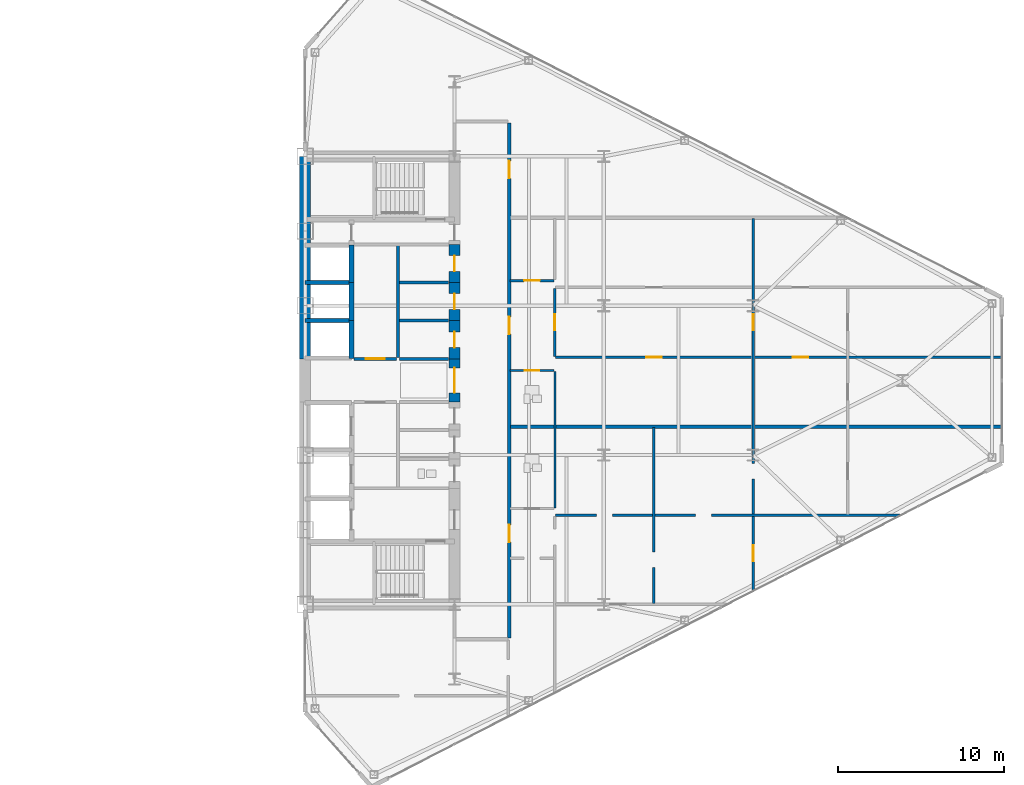
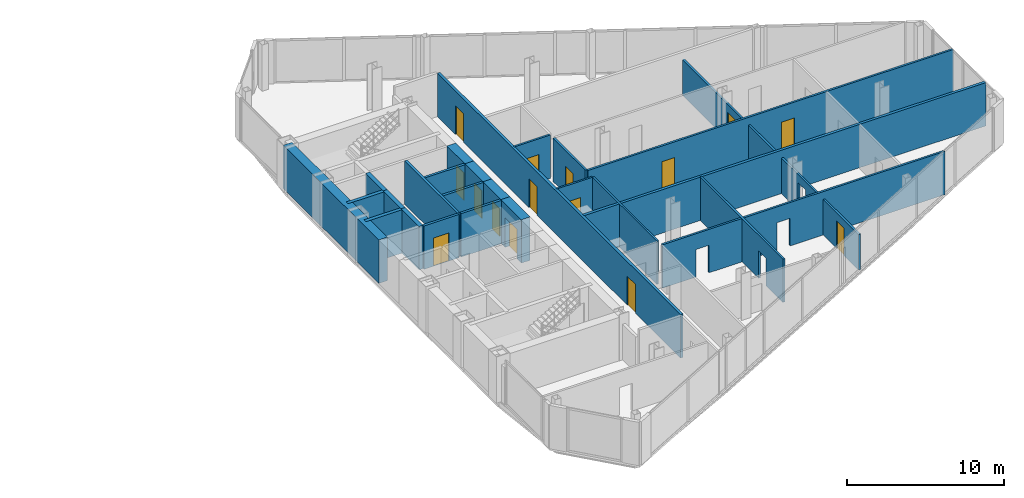
# One storey, part 20 of 24: 25 walls, 15 doors, 19 openings.
"""IFC4 building model written with IfcOpenShell, lengths in metres."""

from ifc_helpers import new_model, si_unit, direction, frame, frame_2d, origin, place, context, subcontext, project, spatial, rectangle, extrude, source, transform, mapped, material, layer, layer_set, type_object, type_shapes, element, fill, save


model = new_model("IFC4")

# Units and contexts
model_context = context("Model", 3, precision=1e-05, world=origin(), true_north=direction((0.0, 1.0)))
body_context = subcontext(model_context, "Body", "Model", "MODEL_VIEW")
ifc_project = project(units=[si_unit("LENGTHUNIT", "METRE"), si_unit("AREAUNIT", "SQUARE_METRE"), si_unit("VOLUMEUNIT", "CUBIC_METRE"), si_unit("PLANEANGLEUNIT", "RADIAN"), si_unit("MASSUNIT", "GRAM", prefix="KILO")], contexts=[model_context])

# Site, building, storey
site_placement = place(None, origin())
site = spatial("IfcSite", under=ifc_project, at=site_placement, CompositionType="ELEMENT")
building_placement = place(site_placement, origin())
building = spatial("IfcBuilding", under=site, at=building_placement, Name="Seokmaru Belvedere", CompositionType="ELEMENT")
storey_placement = place(building_placement, frame((0.0, 0.0, 124.800048828125)))
storey = spatial("IfcBuildingStorey", under=building, at=storey_placement, Name="L33", CompositionType="ELEMENT", Elevation=124.800048828125)

# Wall, openings
ifc_material_1 = material(Name="Fire-Rated Gypsum Shaftwall")
ifc_layer_1 = layer(ifc_material_1, 0.14990234375)
ifc_layer_set_1 = layer_set([ifc_layer_1], Name="Fire-Rated Gypsum Shaftwall")
wall_type_1 = type_object("IfcWallType", Name="Apartment Fire-Acoustic Room Partition 150", PredefinedType="PARTITIONING", material=ifc_layer_set_1)
wall_1_placement = place(storey_placement, frame((42.60009765625, -8.139892578125, 0.0), z_axis=(0.0, 0.0, 1.0), x_axis=(1.0, 0.0, 0.0)))
wall_1 = element("IfcWall", 1, at=wall_1_placement, inside=storey, type_object=wall_type_1, Name="L33 Interior Partition 007", PredefinedType="PARTITIONING", context=body_context, shape_type="SweptSolid", body=[
    extrude(rectangle(XDim=20.809814453125, YDim=0.14990234375, at=frame_2d((10.40478515625, 0.0))), origin(), (0.0, 0.0, 1.0), 3.3798828125),
])
opening_1_placement = place(wall_1_placement, frame((2.46240234375, 0.0, 0.0)))
element("IfcOpeningElement", 2, at=opening_1_placement, cuts=wall_1, Name="L33 Cased Opening 035", PredefinedType="OPENING", context=body_context, shape_type="SweptSolid", body=[
    extrude(rectangle(XDim=0.949951171875, YDim=2.14990234375, at=frame_2d((0.47509765625, 1.074951171875))), frame((0.0, 0.0849609375, 0.0), z_axis=(0.0, -1.0, 0.0), x_axis=(1.0, 0.0, 0.0)), (0.0, 0.0, 1.0), 0.169921875),
])
opening_2_placement = place(wall_1_placement, frame((8.4375, 0.0, 0.0)))
element("IfcOpeningElement", 3, at=opening_2_placement, cuts=wall_1, Name="L33 Cased Opening 037", PredefinedType="OPENING", context=body_context, shape_type="SweptSolid", body=[
    extrude(rectangle(XDim=0.949951171875, YDim=2.14990234375, at=frame_2d((0.47509765625, 1.074951171875))), frame((0.0, 0.0849609375, 0.0), z_axis=(0.0, -1.0, 0.0), x_axis=(1.0, 0.0, 0.0)), (0.0, 0.0, 1.0), 0.169921875),
])

# Wall, openings, doors
wall_2_placement = place(storey_placement, frame((42.60009765625, 1.39990234375, 0.0), z_axis=(0.0, 0.0, 1.0), x_axis=(1.0, 0.0, 0.0)))
wall_2 = element("IfcWall", 4, at=wall_2_placement, inside=storey, type_object=wall_type_1, Name="L33 Interior Partition 015", PredefinedType="PARTITIONING", context=body_context, shape_type="SweptSolid", body=[
    extrude(rectangle(XDim=26.934814453125, YDim=0.14990234375, at=frame_2d((13.46728515625, 0.0))), origin(), (0.0, 0.0, 1.0), 3.3798828125),
])
opening_3_placement = place(wall_2_placement, frame((5.449951171875, 0.0, 0.0)))
opening_3 = element("IfcOpeningElement", 5, at=opening_3_placement, cuts=wall_2, Name="Opening D05", PredefinedType="OPENING", context=body_context, shape_type="SweptSolid", body=[
    extrude(rectangle(XDim=0.949951171875, YDim=2.14990234375, at=frame_2d((0.47509765625, 1.074951171875))), frame((0.0, 0.0849609375, 0.0), z_axis=(0.0, -1.0, 0.0), x_axis=(1.0, 0.0, 0.0)), (0.0, 0.0, 1.0), 0.169921875),
])
opening_4_placement = place(wall_2_placement, frame((14.27490234375, 0.0, 0.0)))
opening_4 = element("IfcOpeningElement", 6, at=opening_4_placement, cuts=wall_2, Name="Opening D05", PredefinedType="OPENING", context=body_context, shape_type="SweptSolid", body=[
    extrude(rectangle(XDim=0.949951171875, YDim=2.14990234375, at=frame_2d((0.47509765625, 1.074951171875))), frame((0.0, 0.0849609375, 0.0), z_axis=(0.0, -1.0, 0.0), x_axis=(1.0, 0.0, 0.0)), (0.0, 0.0, 1.0), 0.169921875),
])
ifc_material_2 = material(Name="Engineered White Oak Timber", Category="wood")
door_type_1 = type_object("IfcDoorType", Name="Apartment Interior Fire-Rated Oak Door 950x2150", OperationType="NOTDEFINED", PredefinedType="DOOR", material=ifc_material_2)
shared_shape_1 = source(origin(), body_context, "Body", "SweptSolid", [
    extrude(rectangle(XDim=0.949951171875, YDim=2.14990234375, at=frame_2d((0.47509765625, 1.074951171875))), frame((0.0, 0.02490234375, 0.0), z_axis=(0.0, -1.0, 0.0), x_axis=(1.0, 0.0, 0.0)), (0.0, 0.0, 1.0), 0.050048828125),
])
type_shapes(door_type_1, [shared_shape_1])
door_1_placement = place(opening_3_placement, origin())
door_1 = element("IfcDoor", 7, at=door_1_placement, inside=storey, type_object=door_type_1, Name="L33 Interior Door 047", OperationType="SINGLE_SWING_RIGHT", OverallHeight=2.14990234375, OverallWidth=0.949951171875, PredefinedType="DOOR", context=body_context, shape_type="MappedRepresentation", body=[
    mapped(shared_shape_1, transform((0.0, 0.0, 0.0), scale=1.0)),
])
fill(opening_3, door_1)
door_2_placement = place(opening_4_placement, origin())
door_2 = element("IfcDoor", 8, at=door_2_placement, inside=storey, type_object=door_type_1, Name="L33 Interior Door 049", OperationType="SINGLE_SWING_RIGHT", OverallHeight=2.14990234375, OverallWidth=0.949951171875, PredefinedType="DOOR", context=body_context, shape_type="MappedRepresentation", body=[
    mapped(shared_shape_1, transform((0.0, 0.0, 0.0), scale=1.0)),
])
fill(opening_4, door_2)

# Wall, opening, door
wall_3_placement = place(storey_placement, frame((39.85009765625, 6.02001953125, 0.0), z_axis=(0.0, 0.0, 1.0), x_axis=(1.0, 0.0, 0.0)))
wall_3 = element("IfcWall", 9, at=wall_3_placement, inside=storey, type_object=wall_type_1, Name="L33 Interior Partition 018", PredefinedType="PARTITIONING", context=body_context, shape_type="SweptSolid", body=[
    extrude(rectangle(XDim=2.64990234375, YDim=0.14990234375, at=frame_2d((1.324951171875, 0.0))), origin(), (0.0, 0.0, 1.0), 3.3798828125),
])
opening_5_placement = place(wall_3_placement, frame((0.85009765625, 0.0, 0.0)))
opening_5 = element("IfcOpeningElement", 10, at=opening_5_placement, cuts=wall_3, Name="Opening D05", PredefinedType="OPENING", context=body_context, shape_type="SweptSolid", body=[
    extrude(rectangle(XDim=0.949951171875, YDim=2.14990234375, at=frame_2d((0.47509765625, 1.074951171875))), frame((0.0, 0.0849609375, 0.0), z_axis=(0.0, -1.0, 0.0), x_axis=(1.0, 0.0, 0.0)), (0.0, 0.0, 1.0), 0.169921875),
])
door_3_placement = place(opening_5_placement, origin())
door_3 = element("IfcDoor", 11, at=door_3_placement, inside=storey, type_object=door_type_1, Name="L33 Interior Door 044", OperationType="SINGLE_SWING_RIGHT", OverallHeight=2.14990234375, OverallWidth=0.949951171875, PredefinedType="DOOR", context=body_context, shape_type="MappedRepresentation", body=[
    mapped(shared_shape_1, transform((0.0, 0.0, 0.0), scale=1.0)),
])
fill(opening_5, door_3)

wall_4_placement = place(storey_placement, frame((42.550048828125, 1.449951171875, 0.0), z_axis=(0.0, 0.0, 1.0), x_axis=(0.0, 1.0, 0.0)))
wall_4 = element("IfcWall", 12, at=wall_4_placement, inside=storey, type_object=wall_type_1, Name="L33 Interior Partition 043", PredefinedType="PARTITIONING", context=body_context, shape_type="SweptSolid", body=[
    extrude(rectangle(XDim=4.10009765625, YDim=0.14990234375, at=frame_2d((2.050048828125, 0.0))), origin(), (0.0, 0.0, 1.0), 3.3798828125),
])
opening_6_placement = place(wall_4_placement, frame((1.574951171875, 0.0, 0.0)))
opening_6 = element("IfcOpeningElement", 13, at=opening_6_placement, cuts=wall_4, Name="Opening D05", PredefinedType="OPENING", context=body_context, shape_type="SweptSolid", body=[
    extrude(rectangle(XDim=0.949951171875, YDim=2.14990234375, at=frame_2d((0.47509765625, 1.074951171875))), frame((0.0, 0.0849609375, 0.0), z_axis=(0.0, -1.0, 0.0), x_axis=(1.0, 0.0, 0.0)), (0.0, 0.0, 1.0), 0.169921875),
])
door_4_placement = place(opening_6_placement, origin())
door_4 = element("IfcDoor", 14, at=door_4_placement, inside=storey, type_object=door_type_1, Name="L33 Interior Door 045", OperationType="SINGLE_SWING_LEFT", OverallHeight=2.14990234375, OverallWidth=0.949951171875, PredefinedType="DOOR", context=body_context, shape_type="MappedRepresentation", body=[
    mapped(shared_shape_1, transform((0.0, 0.0, 0.0), scale=1.0)),
])
fill(opening_6, door_4)

# Wall, opening
wall_5_placement = place(storey_placement, frame((48.52001953125, -13.43603515625, 0.0), z_axis=(0.0, 0.0, 1.0), x_axis=(0.0, 1.0, 0.0)))
wall_5 = element("IfcWall", 15, at=wall_5_placement, inside=storey, type_object=wall_type_1, Name="L33 Interior Partition 045", PredefinedType="PARTITIONING", context=body_context, shape_type="SweptSolid", body=[
    extrude(rectangle(XDim=10.5859375, YDim=0.14990234375, at=frame_2d((5.29296875, 0.0))), origin(), (0.0, 0.0, 1.0), 3.3798828125),
])
opening_7_placement = place(wall_5_placement, frame((2.146240234375, 0.0, 0.0)))
element("IfcOpeningElement", 16, at=opening_7_placement, cuts=wall_5, Name="L33 Cased Opening 034", PredefinedType="OPENING", context=body_context, shape_type="SweptSolid", body=[
    extrude(rectangle(XDim=0.949951171875, YDim=2.14990234375, at=frame_2d((0.47509765625, 1.074951171875))), frame((0.0, 0.0849609375, 0.0), z_axis=(0.0, -1.0, 0.0), x_axis=(1.0, 0.0, 0.0)), (0.0, 0.0, 1.0), 0.169921875),
])

# Wall, openings, doors
wall_6_placement = place(storey_placement, frame((54.5, -12.73193359375, 0.0), z_axis=(0.0, 0.0, 1.0), x_axis=(0.0, 1.0, 0.0)))
wall_6 = element("IfcWall", 17, at=wall_6_placement, inside=storey, type_object=wall_type_1, Name="L33 Interior Partition 046", PredefinedType="PARTITIONING", context=body_context, shape_type="SweptSolid", body=[
    extrude(rectangle(XDim=22.48193359375, YDim=0.14990234375, at=frame_2d((11.240966796875, 0.0))), origin(), (0.0, 0.0, 1.0), 2.780029296875),
])
opening_8_placement = place(wall_6_placement, frame((1.836669921875, 0.0, 0.0)))
opening_8 = element("IfcOpeningElement", 18, at=opening_8_placement, cuts=wall_6, Name="Opening D05", PredefinedType="OPENING", context=body_context, shape_type="SweptSolid", body=[
    extrude(rectangle(XDim=0.949951171875, YDim=2.14990234375, at=frame_2d((0.47509765625, 1.074951171875))), frame((0.0, 0.0849609375, 0.0), z_axis=(0.0, -1.0, 0.0), x_axis=(1.0, 0.0, 0.0)), (0.0, 0.0, 1.0), 0.169921875),
])
opening_9_placement = place(wall_6_placement, frame((6.785400390625, 0.0, 0.0)))
element("IfcOpeningElement", 19, at=opening_9_placement, cuts=wall_6, Name="L33 Cased Opening 038", PredefinedType="OPENING", context=body_context, shape_type="SweptSolid", body=[
    extrude(rectangle(XDim=0.949951171875, YDim=2.14990234375, at=frame_2d((0.47509765625, 1.074951171875))), frame((0.0, 0.0849609375, 0.0), z_axis=(0.0, -1.0, 0.0), x_axis=(1.0, 0.0, 0.0)), (0.0, 0.0, 1.0), 0.169921875),
])
opening_10_placement = place(wall_6_placement, frame((15.757080078125, 0.0, 0.0)))
opening_10 = element("IfcOpeningElement", 20, at=opening_10_placement, cuts=wall_6, Name="Opening D05", PredefinedType="OPENING", context=body_context, shape_type="SweptSolid", body=[
    extrude(rectangle(XDim=0.949951171875, YDim=2.14990234375, at=frame_2d((0.47509765625, 1.074951171875))), frame((0.0, 0.0849609375, 0.0), z_axis=(0.0, -1.0, 0.0), x_axis=(1.0, 0.0, 0.0)), (0.0, 0.0, 1.0), 0.169921875),
])
door_5_placement = place(opening_8_placement, origin())
door_5 = element("IfcDoor", 21, at=door_5_placement, inside=storey, type_object=door_type_1, Name="L33 Interior Door 036", OperationType="SINGLE_SWING_RIGHT", OverallHeight=2.14990234375, OverallWidth=0.949951171875, PredefinedType="DOOR", context=body_context, shape_type="MappedRepresentation", body=[
    mapped(shared_shape_1, transform((0.0, 0.0, 0.0), scale=1.0)),
])
fill(opening_8, door_5)
door_6_placement = place(opening_10_placement, origin())
door_6 = element("IfcDoor", 22, at=door_6_placement, inside=storey, type_object=door_type_1, Name="L33 Interior Door 046", OperationType="SINGLE_SWING_RIGHT", OverallHeight=2.14990234375, OverallWidth=0.949951171875, PredefinedType="DOOR", context=body_context, shape_type="MappedRepresentation", body=[
    mapped(shared_shape_1, transform((0.0, 0.0, 0.0), scale=1.0)),
])
fill(opening_10, door_6)

# Wall
ifc_layer_2 = layer(ifc_material_1, 0.179931640625)
ifc_layer_set_2 = layer_set([ifc_layer_2], Name="Fire-Rated Gypsum Shaftwall")
wall_type_2 = type_object("IfcWallType", Name="Core Service Fire Partition 180", PredefinedType="PARTITIONING", material=ifc_layer_set_2)
wall_7_placement = place(storey_placement, frame((33.10009765625, 1.3798828125, 0.0), z_axis=(0.0, 0.0, 1.0), x_axis=(0.0, 1.0, 0.0)))
element("IfcWall", 23, at=wall_7_placement, inside=storey, type_object=wall_type_2, Name="L33 East North Core Service Back Wall", PredefinedType="PARTITIONING", context=body_context, shape_type="SweptSolid", body=[
    extrude(rectangle(XDim=6.740234375, YDim=0.179931640625, at=frame_2d((3.3701171875, 0.0))), origin(), (0.0, 0.0, 1.0), 3.3798828125),
])

# Wall, opening, door
wall_8_placement = place(storey_placement, frame((30.449951171875, 1.300048828125, 0.0), z_axis=(0.0, 0.0, 1.0), x_axis=(1.0, 0.0, 0.0)))
wall_8 = element("IfcWall", 24, at=wall_8_placement, inside=storey, type_object=wall_type_2, Name="L33 East North Lift Lobby Foyer Wall", PredefinedType="PARTITIONING", context=body_context, shape_type="SweptSolid", body=[
    extrude(rectangle(XDim=2.570068359375, YDim=0.179931640625, at=frame_2d((1.28515625, 0.0))), origin(), (0.0, 0.0, 1.0), 3.3798828125),
])
opening_11_placement = place(wall_8_placement, frame((0.7099609375, 0.0, 0.0)))
opening_11 = element("IfcOpeningElement", 25, at=opening_11_placement, cuts=wall_8, Name="Opening D02", PredefinedType="OPENING", context=body_context, shape_type="SweptSolid", body=[
    extrude(rectangle(XDim=1.14990234375, YDim=2.199951171875, at=frame_2d((0.574951171875, 1.10009765625))), frame((0.0, 0.10009765625, 0.0), z_axis=(0.0, -1.0, 0.0), x_axis=(1.0, 0.0, 0.0)), (0.0, 0.0, 1.0), 0.199951171875),
])
ifc_material_3 = material(Name="Fire-Rated Steel Leaf", Category="steel")
door_type_2 = type_object("IfcDoorType", Name="Lobby and Vestibule Fire Door 1150x2200", OperationType="NOTDEFINED", PredefinedType="DOOR", material=ifc_material_3)
shared_shape_2 = source(origin(), body_context, "Body", "SweptSolid", [
    extrude(rectangle(XDim=1.14990234375, YDim=2.199951171875, at=frame_2d((0.574951171875, 1.10009765625))), frame((0.0, 0.02490234375, 0.0), z_axis=(0.0, -1.0, 0.0), x_axis=(1.0, 0.0, 0.0)), (0.0, 0.0, 1.0), 0.050048828125),
])
type_shapes(door_type_2, [shared_shape_2])
door_7_placement = place(opening_11_placement, origin())
door_7 = element("IfcDoor", 26, at=door_7_placement, inside=storey, type_object=door_type_2, Name="L33 East North Lift Lobby Door", OperationType="SINGLE_SWING_LEFT", OverallHeight=2.199951171875, OverallWidth=1.14990234375, PredefinedType="DOOR", context=body_context, shape_type="MappedRepresentation", body=[
    mapped(shared_shape_2, transform((0.0, 0.0, 0.0), scale=1.0)),
])
fill(opening_11, door_7)

# Walls
for number, where, z_axis, x_axis, name in (
    (27, (33.199951171875, 1.300048828125, 0.0), (0.0, 0.0, 1.0), (1.0, 0.0, 0.0), "L33 East Foyer Side Wall N"),
    (28, (33.199951171875, 3.60009765625, 0.0), (0.0, 0.0, 1.0), (1.0, 0.0, 0.0), "L33 East Core Service Partition 3"),
    (29, (33.199951171875, 5.89990234375, 0.0), (0.0, 0.0, 1.0), (1.0, 0.0, 0.0), "L33 East Core Service Partition 4"),
):
    element("IfcWall", number, at=place(storey_placement, frame(where, z_axis=z_axis, x_axis=x_axis)), inside=storey, type_object=wall_type_2, Name=name, PredefinedType="PARTITIONING", context=body_context, shape_type="SweptSolid", body=[
        extrude(rectangle(XDim=2.949951171875, YDim=0.179931640625, at=frame_2d((1.47509765625, 0.0))), origin(), (0.0, 0.0, 1.0), 3.3798828125),
    ])
ifc_material_4 = material(Name="Concrete C50 (50 MPa)", Category="concrete")
ifc_layer_3 = layer(ifc_material_4, 0.25)
ifc_layer_set_3 = layer_set([ifc_layer_3], Name="Concrete C50 (50 MPa)")
wall_type_3 = type_object("IfcWallType", Name="Hoistway Transverse Concrete Divider Wall 250", PredefinedType="SHEAR", material=ifc_layer_set_3)
for number, where, z_axis, x_axis, name in (
    (30, (27.5, 3.60009765625, 0.0), (0.0, 0.0, 1.0), (1.0, 0.0, 0.0), "L33 East Hoistway Divider Core Wall 5"),
    (31, (27.5, 5.89990234375, 0.0), (0.0, 0.0, 1.0), (1.0, 0.0, 0.0), "L33 East Hoistway Divider Core Wall 6"),
):
    element("IfcWall", number, at=place(storey_placement, frame(where, z_axis=z_axis, x_axis=x_axis)), inside=storey, type_object=wall_type_3, Name=name, PredefinedType="SHEAR", context=body_context, shape_type="SweptSolid", body=[
        extrude(rectangle(XDim=2.800048828125, YDim=0.25, at=frame_2d((1.39990234375, 0.0))), origin(), (0.0, 0.0, 1.0), 3.3798828125),
    ])
ifc_layer_4 = layer(ifc_material_1, 0.199951171875)
ifc_layer_set_4 = layer_set([ifc_layer_4], Name="Fire-Rated Gypsum Shaftwall")
wall_type_4 = type_object("IfcWallType", Name="Inter-Tenancy Fire Compartment Partition 200", PredefinedType="PARTITIONING", material=ifc_layer_set_4)
wall_9_placement = place(storey_placement, frame((39.8798828125, -2.800048828125, 0.0), z_axis=(0.0, 0.0, 1.0), x_axis=(1.0, 0.0, 0.0)))
element("IfcWall", 32, at=wall_9_placement, inside=storey, type_object=wall_type_4, Name="L33 Interior Partition 011", PredefinedType="PARTITIONING", context=body_context, shape_type="SweptSolid", body=[
    extrude(rectangle(XDim=29.625, YDim=0.199951171875, at=frame_2d((14.8125, 0.0))), origin(), (0.0, 0.0, 1.0), 3.3798828125),
])

# Wall, openings, doors
wall_10_placement = place(storey_placement, frame((39.800048828125, -15.514892578125, 0.0), z_axis=(0.0, 0.0, 1.0), x_axis=(0.0, 1.0, 0.0)))
wall_10 = element("IfcWall", 33, at=wall_10_placement, inside=storey, type_object=wall_type_4, Name="L33 Interior Partition 040", PredefinedType="PARTITIONING", context=body_context, shape_type="SweptSolid", body=[
    extrude(rectangle(XDim=31.02978515625, YDim=0.199951171875, at=frame_2d((15.514892578125, 0.0))), origin(), (0.0, 0.0, 1.0), 3.3798828125),
])
opening_12_placement = place(wall_10_placement, frame((5.762451171875, 0.0, 0.0)))
opening_12 = element("IfcOpeningElement", 34, at=opening_12_placement, cuts=wall_10, Name="Opening D03", PredefinedType="OPENING", context=body_context, shape_type="SweptSolid", body=[
    extrude(rectangle(XDim=1.050048828125, YDim=2.25, at=frame_2d((0.52490234375, 1.125))), frame((0.0, 0.10986328125, 0.0), z_axis=(0.0, -1.0, 0.0), x_axis=(1.0, 0.0, 0.0)), (0.0, 0.0, 1.0), 0.219970703125),
])
opening_13_placement = place(wall_10_placement, frame((18.301025390625, 0.0, 0.0)))
opening_13 = element("IfcOpeningElement", 35, at=opening_13_placement, cuts=wall_10, Name="Opening D03", PredefinedType="OPENING", context=body_context, shape_type="SweptSolid", body=[
    extrude(rectangle(XDim=1.050048828125, YDim=2.25, at=frame_2d((0.52490234375, 1.125))), frame((0.0, 0.10986328125, 0.0), z_axis=(0.0, -1.0, 0.0), x_axis=(1.0, 0.0, 0.0)), (0.0, 0.0, 1.0), 0.219970703125),
])
opening_14_placement = place(wall_10_placement, frame((27.68994140625, 0.0, 0.0)))
opening_14 = element("IfcOpeningElement", 36, at=opening_14_placement, cuts=wall_10, Name="Opening D03", PredefinedType="OPENING", context=body_context, shape_type="SweptSolid", body=[
    extrude(rectangle(XDim=1.050048828125, YDim=2.25, at=frame_2d((0.52490234375, 1.125))), frame((0.0, 0.10986328125, 0.0), z_axis=(0.0, -1.0, 0.0), x_axis=(1.0, 0.0, 0.0)), (0.0, 0.0, 1.0), 0.219970703125),
])
door_type_3 = type_object("IfcDoorType", Name="Apartment Entrance Fire Door 1050x2250", OperationType="NOTDEFINED", PredefinedType="DOOR", material=ifc_material_3)
shared_shape_3 = source(origin(), body_context, "Body", "SweptSolid", [
    extrude(rectangle(XDim=1.050048828125, YDim=2.25, at=frame_2d((0.52490234375, 1.125))), frame((0.0, 0.02490234375, 0.0), z_axis=(0.0, -1.0, 0.0), x_axis=(1.0, 0.0, 0.0)), (0.0, 0.0, 1.0), 0.050048828125),
])
type_shapes(door_type_3, [shared_shape_3])
door_8_placement = place(opening_12_placement, origin())
door_8 = element("IfcDoor", 37, at=door_8_placement, inside=storey, type_object=door_type_3, Name="L33 Interior Door 029", OperationType="SINGLE_SWING_LEFT", OverallHeight=2.25, OverallWidth=1.050048828125, PredefinedType="DOOR", context=body_context, shape_type="MappedRepresentation", body=[
    mapped(shared_shape_3, transform((0.0, 0.0, 0.0), scale=1.0)),
])
fill(opening_12, door_8)
door_9_placement = place(opening_13_placement, origin())
door_9 = element("IfcDoor", 38, at=door_9_placement, inside=storey, type_object=door_type_3, Name="L33 Interior Door 042", OperationType="SINGLE_SWING_RIGHT", OverallHeight=2.25, OverallWidth=1.050048828125, PredefinedType="DOOR", context=body_context, shape_type="MappedRepresentation", body=[
    mapped(shared_shape_3, transform((0.0, 0.0, 0.0), scale=1.0)),
])
fill(opening_13, door_9)
door_10_placement = place(opening_14_placement, origin())
door_10 = element("IfcDoor", 39, at=door_10_placement, inside=storey, type_object=door_type_3, Name="L33 Interior Door 053", OperationType="SINGLE_SWING_LEFT", OverallHeight=2.25, OverallWidth=1.050048828125, PredefinedType="DOOR", context=body_context, shape_type="MappedRepresentation", body=[
    mapped(shared_shape_3, transform((0.0, 0.0, 0.0), scale=1.0)),
])
fill(opening_14, door_10)

# Walls
ifc_layer_5 = layer(ifc_material_4, 0.300048828125)
ifc_layer_set_5 = layer_set([ifc_layer_5], Name="Concrete C50 (50 MPa)")
wall_type_5 = type_object("IfcWallType", Name="Internal Core Stair and Hoistway Wall 300", PredefinedType="SHEAR", material=ifc_layer_set_5)
wall_11_placement = place(storey_placement, frame((30.300048828125, 1.320068359375, 0.0), z_axis=(0.0, 0.0, 1.0), x_axis=(0.0, 1.0, 0.0)))
element("IfcWall", 40, at=wall_11_placement, inside=storey, type_object=wall_type_5, Name="L33 East North Hoistway Wall PH1", PredefinedType="SHEAR", context=body_context, shape_type="SweptSolid", body=[
    extrude(rectangle(XDim=2.280029296875, YDim=0.300048828125, at=frame_2d((1.14013671875, 0.0))), origin(), (0.0, 0.0, 1.0), 3.3798828125),
])
wall_12_placement = place(storey_placement, frame((30.300048828125, 3.60009765625, 0.0), z_axis=(0.0, 0.0, 1.0), x_axis=(0.0, 1.0, 0.0)))
element("IfcWall", 41, at=wall_12_placement, inside=storey, type_object=wall_type_5, Name="L33 East North Hoistway Wall PH2", PredefinedType="SHEAR", context=body_context, shape_type="SweptSolid", body=[
    extrude(rectangle(XDim=2.2998046875, YDim=0.300048828125, at=frame_2d((1.14990234375, 0.0))), origin(), (0.0, 0.0, 1.0), 3.3798828125),
])
wall_13_placement = place(storey_placement, frame((30.300048828125, 5.89990234375, 0.0), z_axis=(0.0, 0.0, 1.0), x_axis=(0.0, 1.0, 0.0)))
element("IfcWall", 42, at=wall_13_placement, inside=storey, type_object=wall_type_5, Name="L33 East North Hoistway Wall OBS", PredefinedType="SHEAR", context=body_context, shape_type="SweptSolid", body=[
    extrude(rectangle(XDim=2.25, YDim=0.300048828125, at=frame_2d((1.125, 0.0))), origin(), (0.0, 0.0, 1.0), 3.3798828125),
])
ifc_material_5 = material(Name="Concrete C60 (60 MPa)", Category="concrete")
ifc_layer_6 = layer(ifc_material_5, 0.64990234375)
ifc_layer_set_6 = layer_set([ifc_layer_6], Name="Concrete C60 (60 MPa)")
wall_type_6 = type_object("IfcWallType", Name="Mid-Low Reinforced Concrete Core Wall 650", PredefinedType="SHEAR", material=ifc_layer_set_6)
wall_14_placement = place(storey_placement, frame((27.5, 1.300048828125, 0.0), z_axis=(0.0, 0.0, 1.0), x_axis=(0.0, 1.0, 0.0)))
element("IfcWall", 43, at=wall_14_placement, inside=storey, type_object=wall_type_6, Name="L33 East Portal Spine Core Wall North", PredefinedType="SHEAR", context=body_context, shape_type="SweptSolid", body=[
    extrude(rectangle(XDim=12.199951171875, YDim=0.64990234375, at=frame_2d((6.10009765625, 0.0))), origin(), (0.0, 0.0, 1.0), 3.3798828125),
])

# Wall, opening, door
wall_15_placement = place(storey_placement, frame((36.5, -1.300048828125, 0.0), z_axis=(0.0, 0.0, 1.0), x_axis=(0.0, 1.0, 0.0)))
wall_15 = element("IfcWall", 44, at=wall_15_placement, inside=storey, type_object=wall_type_6, Name="L33 East West Core Wall FOY", PredefinedType="SHEAR", context=body_context, shape_type="SweptSolid", body=[
    extrude(rectangle(XDim=2.60009765625, YDim=0.64990234375, at=frame_2d((1.300048828125, 0.0))), origin(), (0.0, 0.0, 1.0), 3.3798828125),
])
opening_15_placement = place(wall_15_placement, frame((0.550048828125, 0.0, 0.0)))
opening_15 = element("IfcOpeningElement", 45, at=opening_15_placement, cuts=wall_15, Name="Opening D08", PredefinedType="OPENING", context=body_context, shape_type="SweptSolid", body=[
    extrude(rectangle(XDim=1.5, YDim=2.300048828125, at=frame_2d((0.75, 1.14990234375))), frame((0.0, 0.3349609375, 0.0), z_axis=(0.0, -1.0, 0.0), x_axis=(1.0, 0.0, 0.0)), (0.0, 0.0, 1.0), 0.669921875),
])
door_type_4 = type_object("IfcDoorType", Name="Cross-Corridor Compartment Double Fire Door 1500x2300", OperationType="DOUBLE_SWING_LEFT", PredefinedType="DOOR", material=ifc_material_3)
shared_shape_4 = source(origin(), body_context, "Body", "SweptSolid", [
    extrude(rectangle(XDim=1.5, YDim=2.300048828125, at=frame_2d((0.75, 1.14990234375))), frame((0.0, 0.02490234375, 0.0), z_axis=(0.0, -1.0, 0.0), x_axis=(1.0, 0.0, 0.0)), (0.0, 0.0, 1.0), 0.050048828125),
])
type_shapes(door_type_4, [shared_shape_4])
door_11_placement = place(opening_15_placement, origin())
door_11 = element("IfcDoor", 46, at=door_11_placement, inside=storey, type_object=door_type_4, Name="L33 East Core Foyer Compartment Door", OperationType="DOUBLE_SWING_LEFT", OverallHeight=2.300048828125, OverallWidth=1.5, PredefinedType="DOOR", context=body_context, shape_type="MappedRepresentation", body=[
    mapped(shared_shape_4, transform((0.0, 0.0, 0.0), scale=1.0)),
])
fill(opening_15, door_11)

wall_16_placement = place(storey_placement, frame((36.5, 1.300048828125, 0.0), z_axis=(0.0, 0.0, 1.0), x_axis=(0.0, 1.0, 0.0)))
wall_16 = element("IfcWall", 47, at=wall_16_placement, inside=storey, type_object=wall_type_6, Name="L33 East West Core Wall CS4", PredefinedType="SHEAR", context=body_context, shape_type="SweptSolid", body=[
    extrude(rectangle(XDim=2.300048828125, YDim=0.64990234375, at=frame_2d((1.14990234375, 0.0))), origin(), (0.0, 0.0, 1.0), 3.3798828125),
])
opening_16_placement = place(wall_16_placement, frame((0.675048828125, 0.0, 0.0)))
opening_16 = element("IfcOpeningElement", 48, at=opening_16_placement, cuts=wall_16, Name="Opening D04", PredefinedType="OPENING", context=body_context, shape_type="SweptSolid", body=[
    extrude(rectangle(XDim=0.949951171875, YDim=2.14990234375, at=frame_2d((0.47509765625, 1.074951171875))), frame((0.0, 0.3349609375, 0.0), z_axis=(0.0, -1.0, 0.0), x_axis=(1.0, 0.0, 0.0)), (0.0, 0.0, 1.0), 0.669921875),
])
door_type_5 = type_object("IfcDoorType", Name="Core Service Room Fire Door 950x2150", OperationType="NOTDEFINED", PredefinedType="DOOR", material=ifc_material_3)
shared_shape_5 = source(origin(), body_context, "Body", "SweptSolid", [
    extrude(rectangle(XDim=0.949951171875, YDim=2.14990234375, at=frame_2d((0.47509765625, 1.074951171875))), frame((0.0, 0.02490234375, 0.0), z_axis=(0.0, -1.0, 0.0), x_axis=(1.0, 0.0, 0.0)), (0.0, 0.0, 1.0), 0.050048828125),
])
type_shapes(door_type_5, [shared_shape_5])
door_12_placement = place(opening_16_placement, origin())
door_12 = element("IfcDoor", 49, at=door_12_placement, inside=storey, type_object=door_type_5, Name="L33 East Core Service Room Door 4", OperationType="SINGLE_SWING_LEFT", OverallHeight=2.14990234375, OverallWidth=0.949951171875, PredefinedType="DOOR", context=body_context, shape_type="MappedRepresentation", body=[
    mapped(shared_shape_5, transform((0.0, 0.0, 0.0), scale=1.0)),
])
fill(opening_16, door_12)

wall_17_placement = place(storey_placement, frame((36.5, 3.60009765625, 0.0), z_axis=(0.0, 0.0, 1.0), x_axis=(0.0, 1.0, 0.0)))
wall_17 = element("IfcWall", 50, at=wall_17_placement, inside=storey, type_object=wall_type_6, Name="L33 East West Core Wall CS5", PredefinedType="SHEAR", context=body_context, shape_type="SweptSolid", body=[
    extrude(rectangle(XDim=2.2998046875, YDim=0.64990234375, at=frame_2d((1.14990234375, 0.0))), origin(), (0.0, 0.0, 1.0), 3.3798828125),
])
opening_17_placement = place(wall_17_placement, frame((0.675048828125, 0.0, 0.0)))
opening_17 = element("IfcOpeningElement", 51, at=opening_17_placement, cuts=wall_17, Name="Opening D04", PredefinedType="OPENING", context=body_context, shape_type="SweptSolid", body=[
    extrude(rectangle(XDim=0.949951171875, YDim=2.14990234375, at=frame_2d((0.47509765625, 1.074951171875))), frame((0.0, 0.3349609375, 0.0), z_axis=(0.0, -1.0, 0.0), x_axis=(1.0, 0.0, 0.0)), (0.0, 0.0, 1.0), 0.669921875),
])
door_13_placement = place(opening_17_placement, origin())
door_13 = element("IfcDoor", 52, at=door_13_placement, inside=storey, type_object=door_type_5, Name="L33 East Core Service Room Door 5", OperationType="SINGLE_SWING_RIGHT", OverallHeight=2.14990234375, OverallWidth=0.949951171875, PredefinedType="DOOR", context=body_context, shape_type="MappedRepresentation", body=[
    mapped(shared_shape_5, transform((0.0, 0.0, 0.0), scale=1.0)),
])
fill(opening_17, door_13)

wall_18_placement = place(storey_placement, frame((36.5, 5.89990234375, 0.0), z_axis=(0.0, 0.0, 1.0), x_axis=(0.0, 1.0, 0.0)))
wall_18 = element("IfcWall", 53, at=wall_18_placement, inside=storey, type_object=wall_type_6, Name="L33 East West Core Wall CS6", PredefinedType="SHEAR", context=body_context, shape_type="SweptSolid", body=[
    extrude(rectangle(XDim=2.300048828125, YDim=0.64990234375, at=frame_2d((1.14990234375, 0.0))), origin(), (0.0, 0.0, 1.0), 3.3798828125),
])
opening_18_placement = place(wall_18_placement, frame((0.675048828125, 0.0, 0.0)))
opening_18 = element("IfcOpeningElement", 54, at=opening_18_placement, cuts=wall_18, Name="Opening D04", PredefinedType="OPENING", context=body_context, shape_type="SweptSolid", body=[
    extrude(rectangle(XDim=0.949951171875, YDim=2.14990234375, at=frame_2d((0.47509765625, 1.074951171875))), frame((0.0, 0.3349609375, 0.0), z_axis=(0.0, -1.0, 0.0), x_axis=(1.0, 0.0, 0.0)), (0.0, 0.0, 1.0), 0.669921875),
])
door_14_placement = place(opening_18_placement, origin())
door_14 = element("IfcDoor", 55, at=door_14_placement, inside=storey, type_object=door_type_5, Name="L33 East Core Service Room Door 6", OperationType="SINGLE_SWING_LEFT", OverallHeight=2.14990234375, OverallWidth=0.949951171875, PredefinedType="DOOR", context=body_context, shape_type="MappedRepresentation", body=[
    mapped(shared_shape_5, transform((0.0, 0.0, 0.0), scale=1.0)),
])
fill(opening_18, door_14)

ifc_layer_7 = layer(ifc_material_1, 0.1298828125)
ifc_layer_set_7 = layer_set([ifc_layer_7], Name="Fire-Rated Gypsum Shaftwall")
wall_type_7 = type_object("IfcWallType", Name="Moisture-Resistant Fire-Rated Bathroom Partition 130", PredefinedType="PARTITIONING", material=ifc_layer_set_7)
wall_19_placement = place(storey_placement, frame((39.85009765625, 0.60009765625, 0.0), z_axis=(0.0, 0.0, 1.0), x_axis=(1.0, 0.0, 0.0)))
wall_19 = element("IfcWall", 56, at=wall_19_placement, inside=storey, type_object=wall_type_7, Name="L33 Interior Partition 014", PredefinedType="PARTITIONING", context=body_context, shape_type="SweptSolid", body=[
    extrude(rectangle(XDim=2.64990234375, YDim=0.1298828125, at=frame_2d((1.324951171875, 0.0))), origin(), (0.0, 0.0, 1.0), 3.3798828125),
])
opening_19_placement = place(wall_19_placement, frame((0.885009765625, 0.0, 0.0)))
opening_19 = element("IfcOpeningElement", 57, at=opening_19_placement, cuts=wall_19, Name="Opening D06", PredefinedType="OPENING", context=body_context, shape_type="SweptSolid", body=[
    extrude(rectangle(XDim=0.8798828125, YDim=2.10009765625, at=frame_2d((0.43994140625, 1.050048828125))), frame((0.0, 0.074951171875, 0.0), z_axis=(0.0, -1.0, 0.0), x_axis=(1.0, 0.0, 0.0)), (0.0, 0.0, 1.0), 0.14990234375),
])
door_type_6 = type_object("IfcDoorType", Name="Bathroom and Restroom Fire-Rated Door 880x2100", OperationType="NOTDEFINED", PredefinedType="DOOR", material=ifc_material_2)
shared_shape_6 = source(origin(), body_context, "Body", "SweptSolid", [
    extrude(rectangle(XDim=0.8798828125, YDim=2.10009765625, at=frame_2d((0.43994140625, 1.050048828125))), frame((0.0, 0.02490234375, 0.0), z_axis=(0.0, -1.0, 0.0), x_axis=(1.0, 0.0, 0.0)), (0.0, 0.0, 1.0), 0.050048828125),
])
type_shapes(door_type_6, [shared_shape_6])
door_15_placement = place(opening_19_placement, origin())
door_15 = element("IfcDoor", 58, at=door_15_placement, inside=storey, type_object=door_type_6, Name="L33 Interior Door 043", OperationType="SINGLE_SWING_RIGHT", OverallHeight=2.10009765625, OverallWidth=0.8798828125, PredefinedType="DOOR", context=body_context, shape_type="MappedRepresentation", body=[
    mapped(shared_shape_6, transform((0.0, 0.0, 0.0), scale=1.0)),
])
fill(opening_19, door_15)

# Wall
wall_20_placement = place(storey_placement, frame((42.550048828125, -7.677978515625, 0.0), z_axis=(0.0, 0.0, 1.0), x_axis=(0.0, 1.0, 0.0)))
element("IfcWall", 59, at=wall_20_placement, inside=storey, type_object=wall_type_7, Name="L33 Interior Partition 042", PredefinedType="PARTITIONING", context=body_context, shape_type="SweptSolid", body=[
    extrude(rectangle(XDim=8.22802734375, YDim=0.1298828125, at=frame_2d((4.114013671875, 0.0))), origin(), (0.0, 0.0, 1.0), 3.3798828125),
])

save(model, "model.ifc")
